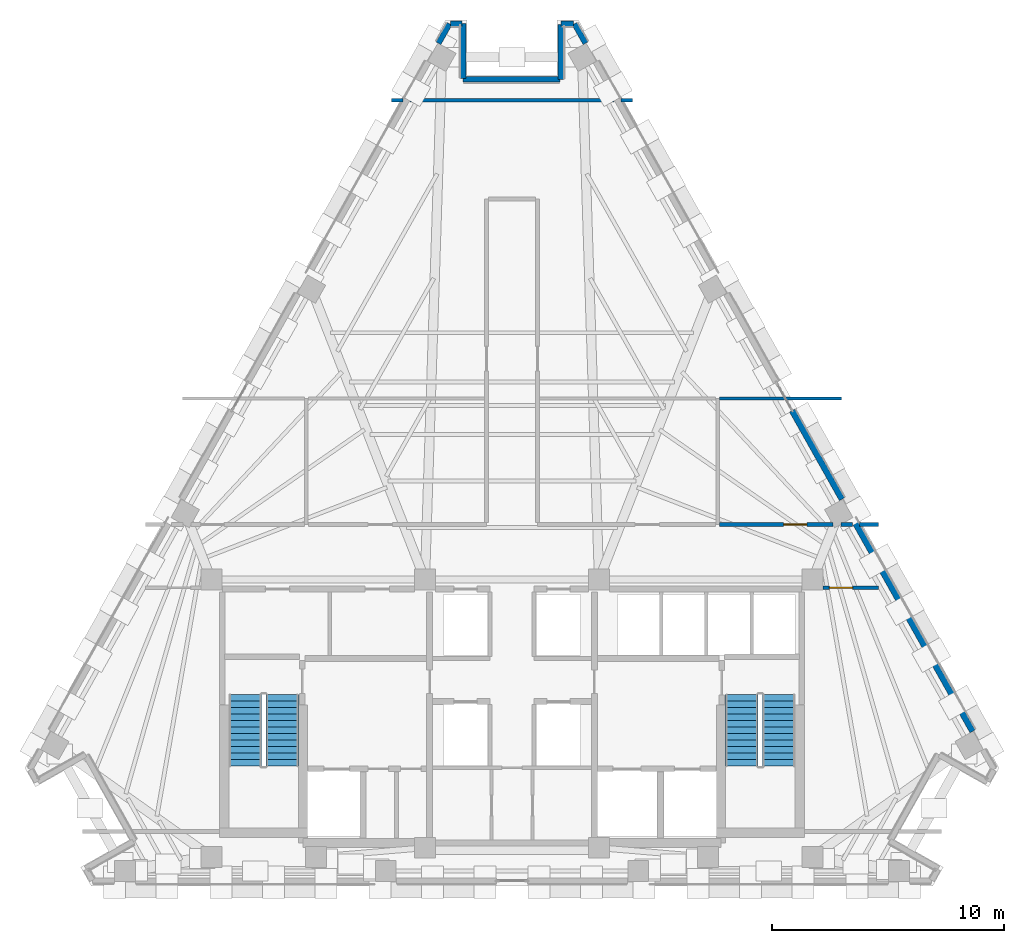
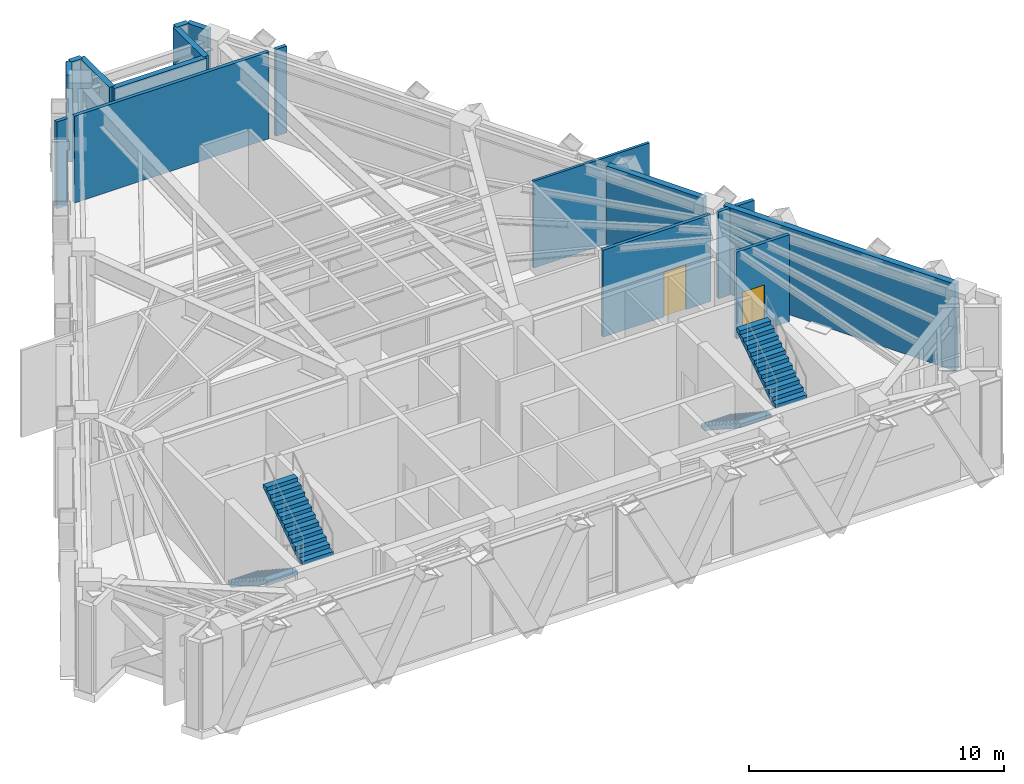
# One storey, part 8 of 11: 17 walls, 4 stair flights, 2 doors, 2 openings, 2 elements without a shape of their own.
"""IFC4 building model written with IfcOpenShell, lengths in metres."""

from ifc_helpers import new_model, si_unit, direction, frame, frame_2d, origin, place, context, subcontext, project, spatial, polyline, rectangle, outline, extrude, material, layer, layer_set, type_object, element, fill, aggregate, save


model = new_model("IFC4")

# Units and contexts
model_context = context("Model", 3, precision=1e-05, world=origin(), true_north=direction((0.0, 1.0)))
body_context = subcontext(model_context, "Body", "Model", "MODEL_VIEW")
ifc_project = project(units=[si_unit("LENGTHUNIT", "METRE"), si_unit("AREAUNIT", "SQUARE_METRE"), si_unit("VOLUMEUNIT", "CUBIC_METRE"), si_unit("PLANEANGLEUNIT", "RADIAN"), si_unit("MASSUNIT", "GRAM", prefix="KILO")], contexts=[model_context])

# Site, building, storey
site_placement = place(None, origin())
site = spatial("IfcSite", under=ifc_project, at=site_placement, CompositionType="ELEMENT")
building_placement = place(site_placement, origin())
building = spatial("IfcBuilding", under=site, at=building_placement, Name="Quenlor Broadcast Tower", CompositionType="ELEMENT")
storey_placement = place(building_placement, frame((0.0, 0.0, 179.0)))
storey = spatial("IfcBuildingStorey", under=building, at=storey_placement, Name="L49", CompositionType="ELEMENT", Elevation=179.0)

# Walls
ifc_material_1 = material(Name="Gypsum Fireboard Partition", Category="other")
ifc_layer_1 = layer(ifc_material_1, 0.159912109375)
ifc_layer_set_1 = layer_set([ifc_layer_1], Name="Fire Rated Shaft and Corridor Partition 160")
wall_type_1 = type_object("IfcWallType", Name="Fire Rated Shaft and Corridor Partition 160", PredefinedType="PARTITIONING", material=ifc_layer_set_1)
wall_1_placement = place(storey_placement, frame((-5.199951171875, 15.85009765625, 0.0), z_axis=(0.0, 0.0, 1.0), x_axis=(1.0, 0.0, 0.0)))
element("IfcWall", 1, at=wall_1_placement, inside=storey, type_object=wall_type_1, Name="L49 Interior Wall PW-PL-NTOP", PredefinedType="PARTITIONING", context=body_context, shape_type="SweptSolid", body=[
    extrude(rectangle(XDim=0.497314453125, YDim=0.159912109375, at=frame_2d((0.24853515625, 0.0))), origin(), (0.0, 0.0, 1.0), 4.14990234375),
])
wall_2_placement = place(storey_placement, frame((-4.39990234375, 15.85009765625, 0.0), z_axis=(0.0, 0.0, 1.0), x_axis=(1.0, 0.0, 0.0)))
element("IfcWall", 2, at=wall_2_placement, inside=storey, type_object=wall_type_1, Name="L49 Interior Wall PW-PL-NTOPS2", PredefinedType="PARTITIONING", context=body_context, shape_type="SweptSolid", body=[
    extrude(rectangle(XDim=8.7998046875, YDim=0.159912109375, at=frame_2d((4.39990234375, 0.0))), origin(), (0.0, 0.0, 1.0), 4.14990234375),
])
wall_3_placement = place(storey_placement, frame((4.70263671875, 15.85009765625, 0.0), z_axis=(0.0, 0.0, 1.0), x_axis=(1.0, 0.0, 0.0)))
element("IfcWall", 3, at=wall_3_placement, inside=storey, type_object=wall_type_1, Name="L49 Interior Wall PW-PL-NTOPS3", PredefinedType="PARTITIONING", context=body_context, shape_type="SweptSolid", body=[
    extrude(rectangle(XDim=0.497314453125, YDim=0.159912109375, at=frame_2d((0.24853515625, 0.0))), origin(), (0.0, 0.0, 1.0), 4.14990234375),
])

# Wall, opening, door
wall_4_placement = place(storey_placement, frame((8.94189453125, -2.419921875, 0.0), z_axis=(0.0, 0.0, 1.0), x_axis=(1.0, 0.0, 0.0)))
wall_4 = element("IfcWall", 4, at=wall_4_placement, inside=storey, type_object=wall_type_1, Name="L49 Interior Wall PW-PL-HES2", PredefinedType="PARTITIONING", context=body_context, shape_type="SweptSolid", body=[
    extrude(rectangle(XDim=4.880126953125, YDim=0.159912109375, at=frame_2d((2.43994140625, 0.0))), origin(), (0.0, 0.0, 1.0), 4.14990234375),
])
opening_1_placement = place(wall_4_placement, frame((2.758056640625, 0.0, 0.0)))
opening_1 = element("IfcOpeningElement", 5, at=opening_1_placement, cuts=wall_4, Name="Opening FD-2", PredefinedType="OPENING", context=body_context, shape_type="SweptSolid", body=[
    extrude(rectangle(XDim=1.0, YDim=2.14990234375, at=frame_2d((0.5, 1.074951171875))), frame((0.0, 0.08984375, 0.0), z_axis=(0.0, -1.0, 0.0), x_axis=(1.0, 0.0, 0.0)), (0.0, 0.0, 1.0), 0.179931640625),
])
ifc_material_2 = material(Name="Fire Rated Glazed Steel Door", Category="steel")
door_type = type_object("IfcDoorType", Name="Firefighting Lobby Smoke Door 1000x2150", OperationType="NOTDEFINED", PredefinedType="DOOR", material=ifc_material_2)
door_1_placement = place(opening_1_placement, origin())
door_1 = element("IfcDoor", 6, at=door_1_placement, inside=storey, type_object=door_type, Name="L49 Door DR-REFE2", OperationType="SINGLE_SWING_RIGHT", OverallHeight=2.14990234375, OverallWidth=1.0, PredefinedType="DOOR", context=body_context, shape_type="SweptSolid", body=[
    extrude(rectangle(XDim=1.0, YDim=2.14990234375, at=frame_2d((0.5, 1.074951171875))), frame((0.0, 0.02490234375, 0.0), z_axis=(0.0, -1.0, 0.0), x_axis=(1.0, 0.0, 0.0)), (0.0, 0.0, 1.0), 0.050048828125),
])
fill(opening_1, door_1)

# Walls
wall_5_placement = place(storey_placement, frame((14.16796875, -2.419921875, 0.0), z_axis=(0.0, 0.0, 1.0), x_axis=(1.0, 0.0, 0.0)))
element("IfcWall", 7, at=wall_5_placement, inside=storey, type_object=wall_type_1, Name="L49 Interior Wall PW-PL-HES3", PredefinedType="PARTITIONING", context=body_context, shape_type="SweptSolid", body=[
    extrude(rectangle(XDim=0.5087890625, YDim=0.159912109375, at=frame_2d((0.25439453125, 0.0))), origin(), (0.0, 0.0, 1.0), 4.14990234375),
])
wall_6_placement = place(storey_placement, frame((14.9794921875, -2.419921875, 0.0), z_axis=(0.0, 0.0, 1.0), x_axis=(1.0, 0.0, 0.0)))
element("IfcWall", 8, at=wall_6_placement, inside=storey, type_object=wall_type_1, Name="L49 Interior Wall PW-PL-HES4", PredefinedType="PARTITIONING", context=body_context, shape_type="SweptSolid", body=[
    extrude(rectangle(XDim=0.820556640625, YDim=0.159912109375, at=frame_2d((0.41015625, 0.0))), origin(), (0.0, 0.0, 1.0), 4.14990234375),
])

# Wall, opening, door
wall_7_placement = place(storey_placement, frame((13.402099609375, -5.14990234375, 0.0), z_axis=(0.0, 0.0, 1.0), x_axis=(1.0, 0.0, 0.0)))
wall_7 = element("IfcWall", 9, at=wall_7_placement, inside=storey, type_object=wall_type_1, Name="L49 Interior Wall PW-RF-E", PredefinedType="PARTITIONING", context=body_context, shape_type="SweptSolid", body=[
    extrude(rectangle(XDim=2.39794921875, YDim=0.159912109375, at=frame_2d((1.198974609375, 0.0))), origin(), (0.0, 0.0, 1.0), 4.14990234375),
])
opening_2_placement = place(wall_7_placement, frame((0.26806640625, 0.0, 0.0)))
opening_2 = element("IfcOpeningElement", 10, at=opening_2_placement, cuts=wall_7, Name="Opening FD-2", PredefinedType="OPENING", context=body_context, shape_type="SweptSolid", body=[
    extrude(rectangle(XDim=1.0, YDim=2.14990234375, at=frame_2d((0.5, 1.074951171875))), frame((0.0, 0.08984375, 0.0), z_axis=(0.0, -1.0, 0.0), x_axis=(1.0, 0.0, 0.0)), (0.0, 0.0, 1.0), 0.179931640625),
])
door_2_placement = place(opening_2_placement, origin())
door_2 = element("IfcDoor", 11, at=door_2_placement, inside=storey, type_object=door_type, Name="L49 Door DR-REFE", OperationType="SINGLE_SWING_RIGHT", OverallHeight=2.14990234375, OverallWidth=1.0, PredefinedType="DOOR", context=body_context, shape_type="SweptSolid", body=[
    extrude(rectangle(XDim=1.0, YDim=2.14990234375, at=frame_2d((0.5, 1.074951171875))), frame((0.0, 0.02490234375, 0.0), z_axis=(0.0, -1.0, 0.0), x_axis=(1.0, 0.0, 0.0)), (0.0, 0.0, 1.0), 0.050048828125),
])
fill(opening_2, door_2)

# Walls
ifc_material_3 = material(Name="Gypsum Plasterboard Partition", Category="other")
ifc_layer_2 = layer(ifc_material_3, 0.1201171875)
ifc_layer_set_2 = layer_set([ifc_layer_2], Name="Standard Office Partition 120")
wall_type_2 = type_object("IfcWallType", Name="Standard Office Partition 120", PredefinedType="PARTITIONING", material=ifc_layer_set_2)
wall_8_placement = place(storey_placement, frame((8.94189453125, 3.0, 0.0), z_axis=(0.0, 0.0, 1.0), x_axis=(1.0, 0.0, 0.0)))
element("IfcWall", 12, at=wall_8_placement, inside=storey, type_object=wall_type_2, Name="L49 Interior Wall PW-PL-YES2", PredefinedType="PARTITIONING", context=body_context, shape_type="SweptSolid", body=[
    extrude(rectangle(XDim=5.258056640625, YDim=0.1201171875, at=frame_2d((2.62890625, 0.0))), origin(), (0.0, 0.0, 1.0), 4.14990234375),
])
ifc_material_4 = material(Name="Precast concrete C40/50", Category="concrete")
ifc_layer_3 = layer(ifc_material_4, 0.239990234375)
ifc_layer_set_3 = layer_set([ifc_layer_3], Name="Terrace Threshold Precast Concrete C40/50 Wall 240")
wall_type_3 = type_object("IfcWallType", Name="Terrace Threshold Precast Concrete C40/50 Wall 240", PredefinedType="STANDARD", material=ifc_layer_set_3)
for number, where, z_axis, x_axis, name in (
    (13, (2.6953125, 19.1494140625, 0.0), (0.0, 0.0, 1.0), (0.490345412687, -0.87152818443, 0.0), "L49 Exterior Wall L49-SHD-NES0"),
    (14, (-3.16796875, 18.309326171875, 0.0), (0.0, 0.0, 1.0), (0.490345412687, 0.87152818443, 0.0), "L49 Exterior Wall L49-SHD-NWS1"),
):
    element("IfcWall", number, at=place(storey_placement, frame(where, z_axis=z_axis, x_axis=x_axis)), inside=storey, type_object=wall_type_3, Name=name, PredefinedType="STANDARD", context=body_context, shape_type="SweptSolid", body=[
        extrude(rectangle(XDim=0.9638671875, YDim=0.239990234375, at=frame_2d((0.48193359375, 0.0))), origin(), (0.0, 0.0, 1.0), 4.14990234375),
    ])
wall_9_placement = place(storey_placement, frame((2.658447265625, 19.152099609375, 0.0), z_axis=(0.0, 0.0, 1.0), x_axis=(-1.0, 0.0, 0.0)))
element("IfcWall", 15, at=wall_9_placement, inside=storey, type_object=wall_type_3, Name="L49 Exterior Wall L49-CNR-06", PredefinedType="STANDARD", context=body_context, shape_type="SweptSolid", body=[
    extrude(rectangle(XDim=0.55224609375, YDim=0.239990234375, at=frame_2d((0.276123046875, 0.0))), origin(), (0.0, 0.0, 1.0), 4.14990234375),
])
wall_10_placement = place(storey_placement, frame((2.106201171875, 19.112060546875, 0.0), z_axis=(0.0, 0.0, 1.0), x_axis=(0.0, -1.0, 0.0)))
element("IfcWall", 16, at=wall_10_placement, inside=storey, type_object=wall_type_3, Name="L49 Exterior Wall L49-CNR-07", PredefinedType="STANDARD", context=body_context, shape_type="SweptSolid", body=[
    extrude(rectangle(XDim=2.360107421875, YDim=0.239990234375, at=frame_2d((1.18017578125, 0.0))), origin(), (0.0, 0.0, 1.0), 4.14990234375),
])
wall_11_placement = place(storey_placement, frame((2.066162109375, 16.751953125, 0.0), z_axis=(0.0, 0.0, 1.0), x_axis=(-1.0, 0.0, 0.0)))
element("IfcWall", 17, at=wall_11_placement, inside=storey, type_object=wall_type_3, Name="L49 Exterior Wall L49-CNR-08", PredefinedType="STANDARD", context=body_context, shape_type="SweptSolid", body=[
    extrude(rectangle(XDim=4.17236328125, YDim=0.239990234375, at=frame_2d((2.086181640625, 0.0))), origin(), (0.0, 0.0, 1.0), 4.14990234375),
])
wall_12_placement = place(storey_placement, frame((-2.106201171875, 16.7919921875, 0.0), z_axis=(0.0, 0.0, 1.0), x_axis=(0.0, 1.0, 0.0)))
element("IfcWall", 18, at=wall_12_placement, inside=storey, type_object=wall_type_3, Name="L49 Exterior Wall L49-CNR-09", PredefinedType="STANDARD", context=body_context, shape_type="SweptSolid", body=[
    extrude(rectangle(XDim=2.360107421875, YDim=0.239990234375, at=frame_2d((1.18017578125, 0.0))), origin(), (0.0, 0.0, 1.0), 4.14990234375),
])
wall_13_placement = place(storey_placement, frame((-2.146240234375, 19.152099609375, 0.0), z_axis=(0.0, 0.0, 1.0), x_axis=(-1.0, 0.0, 0.0)))
element("IfcWall", 19, at=wall_13_placement, inside=storey, type_object=wall_type_3, Name="L49 Exterior Wall L49-CNR-10", PredefinedType="STANDARD", context=body_context, shape_type="SweptSolid", body=[
    extrude(rectangle(XDim=0.51220703125, YDim=0.239990234375, at=frame_2d((0.256103515625, 0.0))), origin(), (0.0, 0.0, 1.0), 4.14990234375),
])
ifc_material_5 = material(Name="Precast concrete C40/50", Category="concrete")
ifc_layer_4 = layer(ifc_material_5, 0.260009765625)
ifc_layer_set_4 = layer_set([ifc_layer_4], Name="Terracotta Precast Concrete C40/50 Upper Wall 260")
wall_type_4 = type_object("IfcWallType", Name="Terracotta Precast Concrete C40/50 Upper Wall 260", PredefinedType="STANDARD", material=ifc_layer_set_4)
wall_14_placement = place(storey_placement, frame((14.6708984375, -2.140380859375, 0.0), z_axis=(0.0, 0.0, 1.0), x_axis=(0.490246958575, -0.871583570066, 0.0)))
element("IfcWall", 20, at=wall_14_placement, inside=storey, type_object=wall_type_4, Name="L49 Exterior Wall L49-EW-NEC", PredefinedType="STANDARD", context=body_context, shape_type="SweptSolid", body=[
    extrude(rectangle(XDim=10.551513671875, YDim=0.260009765625, at=frame_2d((5.27587890625, 0.0))), origin(), (0.0, 0.0, 1.0), 4.14990234375),
])
wall_15_placement = place(storey_placement, frame((12.069580078125, 2.484130859375, 0.0), z_axis=(0.0, 0.0, 1.0), x_axis=(0.490240072733, -0.871587443167, 0.0)))
element("IfcWall", 21, at=wall_15_placement, inside=storey, type_object=wall_type_4, Name="L49 Exterior Wall L49-NE-SP2", PredefinedType="STANDARD", context=body_context, shape_type="SweptSolid", body=[
    extrude(rectangle(XDim=4.380859375, YDim=0.260009765625, at=frame_2d((2.1904296875, 0.0))), origin(), (0.0, 0.0, 1.0), 4.14990234375),
])

# Stair, stair flights
ifc_material_6 = material(Name="Precast concrete C40/50", Category="concrete")
stair_type = type_object("IfcStairType", Name="Precast Concrete C40/50 Dogleg Stair H440", PredefinedType="HALF_TURN_STAIR", material=ifc_material_6)
stair_1_placement = place(storey_placement, origin())
stair_1 = element("IfcStair", 22, at=stair_1_placement, inside=storey, type_object=stair_type, Name="L49 West Core Fire-Isolated Exit Stair ST-1", PredefinedType="HALF_TURN_STAIR")
ifc_material_7 = material(Name="Precast concrete C40/50", Category="concrete")
ifc_layer_5 = layer(ifc_material_7, 0.169921875)
ifc_layer_set_5 = layer_set([ifc_layer_5], Name="Precast Concrete C40/50 Stair Flight H440")
stair_flight_type = type_object("IfcStairFlightType", Name="Precast Concrete C40/50 Stair Flight H440", PredefinedType="STRAIGHT", material=ifc_layer_set_5)
stair_flight_1_placement = place(storey_placement, frame((-11.5, -9.75, 0.0), z_axis=(0.0, 0.0, 1.0), x_axis=(0.0, -1.0, 0.0)))
stair_flight_1 = element("IfcStairFlight", 23, at=stair_flight_1_placement, type_object=stair_flight_type, Name="ST-1 flight 1", NumberOfRisers=12, NumberOfTreads=11, PredefinedType="STRAIGHT", RiserHeight=0.183333333, TreadLength=0.28, context=body_context, shape_type="SweptSolid", body=[
    extrude(outline(polyline([(0.0, 0.0), (0.0, 0.183349609375), (0.280029296875, 0.183349609375), (0.280029296875, 0.36669921875), (0.56005859375, 0.36669921875), (0.56005859375, 0.550048828125), (0.840087890625, 0.550048828125), (0.840087890625, 0.7333984375), (1.1201171875, 0.7333984375), (1.1201171875, 0.916748046875), (1.39990234375, 0.916748046875), (1.39990234375, 1.10009765625), (1.679931640625, 1.10009765625), (1.679931640625, 1.283447265625), (1.9599609375, 1.283447265625), (1.9599609375, 1.466552734375), (2.239990234375, 1.466552734375), (2.239990234375, 1.64990234375), (2.52001953125, 1.64990234375), (2.52001953125, 1.833251953125), (2.800048828125, 1.833251953125), (2.800048828125, 2.0166015625), (3.080078125, 2.0166015625), (3.080078125, 2.199951171875), (3.080078125, 1.83740234375), (0.273681640625, 0.0), (0.0, 0.0)])), frame((0.0, 0.699951171875, 0.0), z_axis=(0.0, -1.0, 0.0), x_axis=(1.0, 0.0, 0.0)), (0.0, 0.0, 1.0), 1.39990234375),
])
stair_flight_2_placement = place(storey_placement, frame((-9.89990234375, -12.830078125, 2.199951171875), z_axis=(0.0, 0.0, 1.0), x_axis=(0.0, 1.0, 0.0)))
stair_flight_2 = element("IfcStairFlight", 24, at=stair_flight_2_placement, type_object=stair_flight_type, Name="ST-1 flight 2", NumberOfRisers=12, NumberOfTreads=11, PredefinedType="STRAIGHT", RiserHeight=0.183333333, TreadLength=0.28, context=body_context, shape_type="SweptSolid", body=[
    extrude(outline(polyline([(0.0, 0.0), (0.0, 0.183349609375), (0.280029296875, 0.183349609375), (0.280029296875, 0.36669921875), (0.56005859375, 0.36669921875), (0.56005859375, 0.550048828125), (0.840087890625, 0.550048828125), (0.840087890625, 0.7333984375), (1.1201171875, 0.7333984375), (1.1201171875, 0.916748046875), (1.39990234375, 0.916748046875), (1.39990234375, 1.10009765625), (1.679931640625, 1.10009765625), (1.679931640625, 1.283447265625), (1.9599609375, 1.283447265625), (1.9599609375, 1.466552734375), (2.239990234375, 1.466552734375), (2.239990234375, 1.64990234375), (2.52001953125, 1.64990234375), (2.52001953125, 1.833251953125), (2.800048828125, 1.833251953125), (2.800048828125, 2.0166015625), (3.080078125, 2.0166015625), (3.080078125, 2.199951171875), (3.080078125, 1.83740234375), (0.273681640625, 0.0), (0.0, 0.0)])), frame((0.0, 0.699951171875, 0.0), z_axis=(0.0, -1.0, 0.0), x_axis=(1.0, 0.0, 0.0)), (0.0, 0.0, 1.0), 1.39990234375),
])
aggregate(stair_1, [stair_flight_1, stair_flight_2])

stair_2_placement = place(storey_placement, origin())
stair_2 = element("IfcStair", 25, at=stair_2_placement, inside=storey, type_object=stair_type, Name="L49 East Core Fire-Isolated Exit Stair ST-2", PredefinedType="HALF_TURN_STAIR")
stair_flight_3_placement = place(storey_placement, frame((9.89990234375, -9.75, 0.0), z_axis=(0.0, 0.0, 1.0), x_axis=(0.0, -1.0, 0.0)))
stair_flight_3 = element("IfcStairFlight", 26, at=stair_flight_3_placement, type_object=stair_flight_type, Name="ST-2 flight 1", NumberOfRisers=12, NumberOfTreads=11, PredefinedType="STRAIGHT", RiserHeight=0.183333333, TreadLength=0.28, context=body_context, shape_type="SweptSolid", body=[
    extrude(outline(polyline([(0.0, 0.0), (0.0, 0.183349609375), (0.280029296875, 0.183349609375), (0.280029296875, 0.36669921875), (0.56005859375, 0.36669921875), (0.56005859375, 0.550048828125), (0.840087890625, 0.550048828125), (0.840087890625, 0.7333984375), (1.1201171875, 0.7333984375), (1.1201171875, 0.916748046875), (1.39990234375, 0.916748046875), (1.39990234375, 1.10009765625), (1.679931640625, 1.10009765625), (1.679931640625, 1.283447265625), (1.9599609375, 1.283447265625), (1.9599609375, 1.466552734375), (2.239990234375, 1.466552734375), (2.239990234375, 1.64990234375), (2.52001953125, 1.64990234375), (2.52001953125, 1.833251953125), (2.800048828125, 1.833251953125), (2.800048828125, 2.0166015625), (3.080078125, 2.0166015625), (3.080078125, 2.199951171875), (3.080078125, 1.83740234375), (0.273681640625, 0.0), (0.0, 0.0)])), frame((0.0, 0.699951171875, 0.0), z_axis=(0.0, -1.0, 0.0), x_axis=(1.0, 0.0, 0.0)), (0.0, 0.0, 1.0), 1.39990234375),
])
stair_flight_4_placement = place(storey_placement, frame((11.5, -12.830078125, 2.199951171875), z_axis=(0.0, 0.0, 1.0), x_axis=(0.0, 1.0, 0.0)))
stair_flight_4 = element("IfcStairFlight", 27, at=stair_flight_4_placement, type_object=stair_flight_type, Name="ST-2 flight 2", NumberOfRisers=12, NumberOfTreads=11, PredefinedType="STRAIGHT", RiserHeight=0.183333333, TreadLength=0.28, context=body_context, shape_type="SweptSolid", body=[
    extrude(outline(polyline([(0.0, 0.0), (0.0, 0.183349609375), (0.280029296875, 0.183349609375), (0.280029296875, 0.36669921875), (0.56005859375, 0.36669921875), (0.56005859375, 0.550048828125), (0.840087890625, 0.550048828125), (0.840087890625, 0.7333984375), (1.1201171875, 0.7333984375), (1.1201171875, 0.916748046875), (1.39990234375, 0.916748046875), (1.39990234375, 1.10009765625), (1.679931640625, 1.10009765625), (1.679931640625, 1.283447265625), (1.9599609375, 1.283447265625), (1.9599609375, 1.466552734375), (2.239990234375, 1.466552734375), (2.239990234375, 1.64990234375), (2.52001953125, 1.64990234375), (2.52001953125, 1.833251953125), (2.800048828125, 1.833251953125), (2.800048828125, 2.0166015625), (3.080078125, 2.0166015625), (3.080078125, 2.199951171875), (3.080078125, 1.83740234375), (0.273681640625, 0.0), (0.0, 0.0)])), frame((0.0, 0.699951171875, 0.0), z_axis=(0.0, -1.0, 0.0), x_axis=(1.0, 0.0, 0.0)), (0.0, 0.0, 1.0), 1.39990234375),
])
aggregate(stair_2, [stair_flight_3, stair_flight_4])

save(model, "model.ifc")
